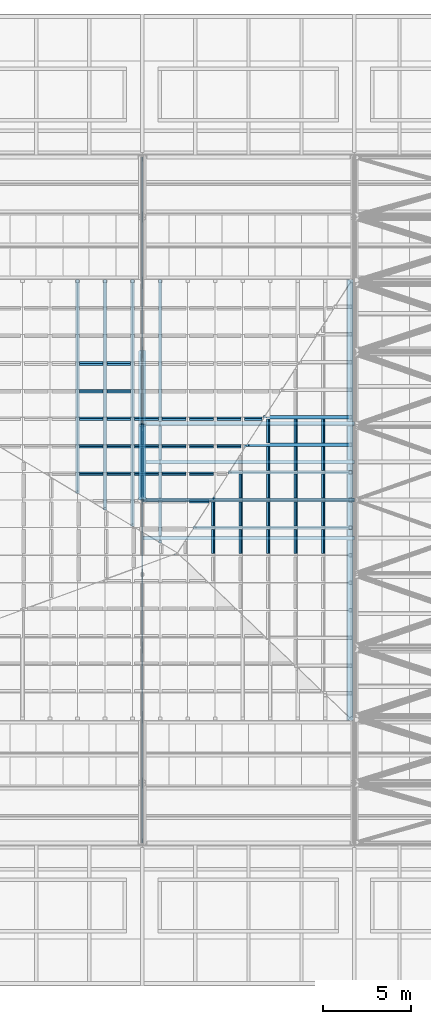
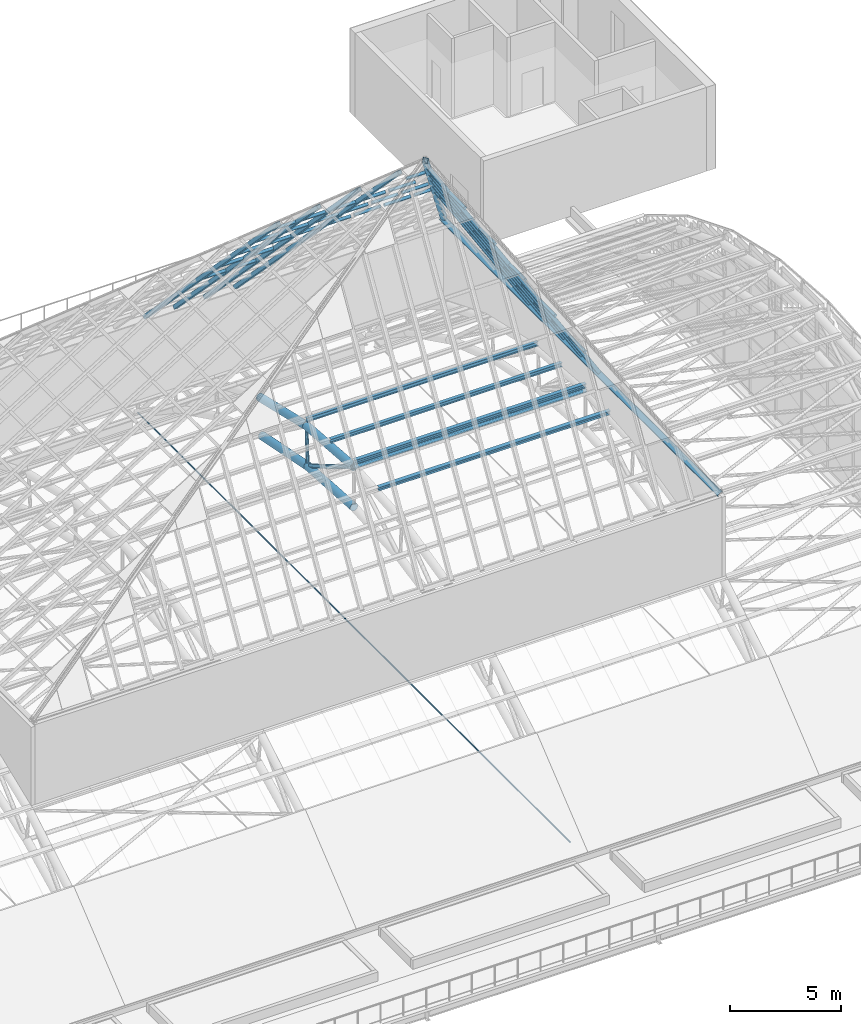
# One storey, part 33 of 110: 65 members, 1 beam.
"""IFC4 building model written with IfcOpenShell, lengths in metres."""

from ifc_helpers import new_model, si_unit, direction, frame, origin, origin_2d, place, context, subcontext, project, spatial, hollow_rectangle, circle, hollow_circle, i_section, extrude, material, material_profile, profile_set, type_object, element, save


model = new_model("IFC4")

# Units and contexts
model_context = context("Model", 3, precision=1e-05, world=origin(), true_north=direction((0.0, 1.0)))
body_context = subcontext(model_context, "Body", "Model", "MODEL_VIEW")
ifc_project = project(units=[si_unit("LENGTHUNIT", "METRE"), si_unit("AREAUNIT", "SQUARE_METRE"), si_unit("VOLUMEUNIT", "CUBIC_METRE"), si_unit("PLANEANGLEUNIT", "RADIAN"), si_unit("MASSUNIT", "GRAM", prefix="KILO")], contexts=[model_context])

# Site, building, storey
site_placement = place(None, origin())
site = spatial("IfcSite", under=ifc_project, at=site_placement, CompositionType="ELEMENT")
building_placement = place(site_placement, origin())
building = spatial("IfcBuilding", under=site, at=building_placement, Name="Windward Yard Aquatics Centre", CompositionType="ELEMENT")
storey_placement = place(building_placement, frame((0.0, 0.0, 22.60009765625)))
storey = spatial("IfcBuildingStorey", under=building, at=storey_placement, Name="L05", CompositionType="ELEMENT", Elevation=22.60009765625)

# Members
ifc_material_1 = material(Name="Steel ASTM A500 Gr C", Category="steel")
ifc_material_profile_1 = material_profile(ifc_material_1, hollow_circle(Radius=0.084228515625, WallThickness=0.010986328125, at=origin_2d()), Name="HSS168.3X11")
ifc_profile_set_1 = profile_set([ifc_material_profile_1], Name="Steel ASTM A500 Gr C")
member_type_1 = type_object("IfcMemberType", Name="H arch post HSS168.3X11", PredefinedType="POST", material=ifc_profile_set_1)
member_1_placement = place(storey_placement, frame((120.0, 65.16064453125, 6.323486328125), z_axis=(0.0, 0.050215263417, 0.998738417865), x_axis=(-1.0, 0.0, 0.0)))
element("IfcMember", 1, at=member_1_placement, inside=storey, type_object=member_type_1, Name="H.AT.6.WP07", PredefinedType="POST", context=body_context, shape_type="SweptSolid", body=[
    extrude(hollow_circle(Radius=0.084228515625, WallThickness=0.010986328125, at=origin_2d()), origin(), (0.0, 0.0, 1.0), 2.14892578125),
])
ifc_material_profile_2 = material_profile(ifc_material_1, hollow_circle(Radius=0.203125, WallThickness=0.015869140625, at=origin_2d()), Name="HSS406.4X15.9")
ifc_profile_set_2 = profile_set([ifc_material_profile_2], Name="Steel ASTM A500 Gr C")
member_type_2 = type_object("IfcMemberType", Name="H arch top chord HSS406.4X15.9", PredefinedType="CHORD", material=ifc_profile_set_2)
member_2_placement = place(storey_placement, frame((120.0, 61.0, 8.796630859375), z_axis=(0.0, 0.997080259355, -0.076360699341), x_axis=(-1.0, 0.0, 0.0)))
element("IfcMember", 2, at=member_2_placement, inside=storey, type_object=member_type_2, Name="H.AT.6.TC06", PredefinedType="CHORD", context=body_context, shape_type="SweptSolid", body=[
    extrude(hollow_circle(Radius=0.203125, WallThickness=0.015869140625, at=origin_2d()), origin(), (0.0, 0.0, 1.0), 4.281005859375),
])
member_3_placement = place(storey_placement, frame((120.0, 61.0, 6.5966796875), z_axis=(0.0, 0.997851241995, -0.065520217098), x_axis=(-1.0, 0.0, 0.0)))
element("IfcMember", 3, at=member_3_placement, inside=storey, type_object=member_type_2, Name="H.AT.6.BC06", PredefinedType="CHORD", context=body_context, shape_type="SweptSolid", body=[
    extrude(hollow_circle(Radius=0.203125, WallThickness=0.015869140625, at=origin_2d()), origin(), (0.0, 0.0, 1.0), 4.169677734375),
])
member_4_placement = place(storey_placement, frame((120.0, 65.2685546875, 8.4697265625), z_axis=(0.0, 0.973833637334, -0.227262066337), x_axis=(-1.0, 0.0, 0.0)))
element("IfcMember", 4, at=member_4_placement, inside=storey, type_object=member_type_2, Name="H.AT.6.TC07", PredefinedType="CHORD", context=body_context, shape_type="SweptSolid", body=[
    extrude(hollow_circle(Radius=0.203125, WallThickness=0.015869140625, at=origin_2d()), origin(), (0.0, 0.0, 1.0), 4.281005859375),
])
member_5_placement = place(storey_placement, frame((120.0, 65.16064453125, 6.323486328125), z_axis=(0.0, 0.980724544319, -0.195395414914), x_axis=(-1.0, 0.0, 0.0)))
element("IfcMember", 5, at=member_5_placement, inside=storey, type_object=member_type_2, Name="H.AT.6.BC07", PredefinedType="CHORD", context=body_context, shape_type="SweptSolid", body=[
    extrude(hollow_circle(Radius=0.203125, WallThickness=0.015869140625, at=origin_2d()), origin(), (0.0, 0.0, 1.0), 4.16943359375),
])
ifc_material_profile_3 = material_profile(ifc_material_1, hollow_circle(Radius=0.109619140625, WallThickness=0.00830078125, at=origin_2d()), Name="HSS219.1X8.2")
ifc_profile_set_3 = profile_set([ifc_material_profile_3], Name="Steel ASTM A500 Gr C")
member_type_3 = type_object("IfcMemberType", Name="H arch web diagonal HSS219.1X8.2", PredefinedType="BRACE", material=ifc_profile_set_3)
member_6_placement = place(storey_placement, frame((120.0, 61.0, 8.796630859375), z_axis=(0.0, 0.859604150376, -0.51096057055), x_axis=(-1.0, 0.0, 0.0)))
element("IfcMember", 6, at=member_6_placement, inside=storey, type_object=member_type_3, Name="H.AT.6.WD06", PredefinedType="BRACE", context=body_context, shape_type="SweptSolid", body=[
    extrude(hollow_circle(Radius=0.109619140625, WallThickness=0.00830078125, at=origin_2d()), origin(), (0.0, 0.0, 1.0), 4.840087890625),
])

# Beam
ifc_material_2 = material(Name="Steel ASTM A992 Gr 50", Category="steel")
ifc_material_profile_4 = material_profile(ifc_material_2, i_section(OverallWidth=0.202880859375, OverallDepth=0.302001953125, WebThickness=0.007568359375, FlangeThickness=0.01318359375, at=origin_2d()), Name="W310X60")
ifc_profile_set_4 = profile_set([ifc_material_profile_4], Name="Steel ASTM A992 Gr 50")
beam_type = type_object("IfcBeamType", Name="H lantern eave beam W310X60", PredefinedType="BEAM", material=ifc_profile_set_4)
beam_placement = place(storey_placement, frame((131.740966796875, 48.510498046875, 10.7958984375), z_axis=(0.0, 1.0, 0.0), x_axis=(-0.526172366974, 0.0, 0.850377939644)))
element("IfcBeam", 7, at=beam_placement, inside=storey, type_object=beam_type, Name="H.LN.E.02", PredefinedType="BEAM", context=body_context, shape_type="SweptSolid", body=[
    extrude(i_section(OverallWidth=0.202880859375, OverallDepth=0.302001953125, WebThickness=0.007568359375, FlangeThickness=0.01318359375, at=origin_2d()), origin(), (0.0, 0.0, 1.0), 24.97900390625),
])

# Members
ifc_material_profile_5 = material_profile(ifc_material_1, hollow_rectangle(XDim=0.25390625, YDim=0.25390625, WallThickness=0.015869140625, InnerFilletRadius=0.008056640625, OuterFilletRadius=0.02392578125, at=origin_2d()), Name="HSS254X254X15.9")
ifc_profile_set_5 = profile_set([ifc_material_profile_5], Name="Steel ASTM A500 Gr C")
member_type_4 = type_object("IfcMemberType", Name="H lantern hip HSS254X254X15.9", PredefinedType="BRACE", material=ifc_profile_set_5)
member_7_placement = place(storey_placement, frame((131.8193359375, 73.42138671875, 10.7783203125), z_axis=(-0.406220913634, -0.635577949828, 0.656525124438), x_axis=(0.755174577895, -0.638033141403, -0.150416313518)))
element("IfcMember", 8, at=member_7_placement, inside=storey, type_object=member_type_4, Name="H.LN.H.03", PredefinedType="BRACE", context=body_context, shape_type="SweptSolid", body=[
    extrude(hollow_rectangle(XDim=0.25390625, YDim=0.25390625, WallThickness=0.015869140625, InnerFilletRadius=0.008056640625, OuterFilletRadius=0.02392578125, at=origin_2d()), origin(), (0.0, 0.0, 1.0), 24.370849609375),
])
ifc_material_profile_6 = material_profile(ifc_material_1, hollow_rectangle(XDim=0.15234375, YDim=0.15234375, WallThickness=0.009521484375, InnerFilletRadius=0.004638671875, OuterFilletRadius=0.01416015625, at=origin_2d()), Name="HSS152X152X9.5")
ifc_profile_set_6 = profile_set([ifc_material_profile_6], Name="Steel ASTM A500 Gr C")
member_type_5 = type_object("IfcMemberType", Name="H lantern purlin HSS152X152X9.5", PredefinedType="PURLIN", material=ifc_profile_set_6)
member_8_placement = place(storey_placement, frame((130.248046875, 65.581787109375, 13.350830078125), z_axis=(0.0, -1.0, 0.0), x_axis=(0.526172366974, 0.0, -0.850377939644)))
element("IfcMember", 9, at=member_8_placement, inside=storey, type_object=member_type_5, Name="H.LN.U.02.01.05", PredefinedType="PURLIN", context=body_context, shape_type="SweptSolid", body=[
    extrude(hollow_rectangle(XDim=0.15234375, YDim=0.15234375, WallThickness=0.009521484375, InnerFilletRadius=0.004638671875, OuterFilletRadius=0.01416015625, at=origin_2d()), origin(), (0.0, 0.0, 1.0), 1.357666015625),
])
member_9_placement = place(storey_placement, frame((130.248046875, 64.020751953125, 13.350830078125), z_axis=(0.0, -1.0, 0.0), x_axis=(0.526172366974, 0.0, -0.850377939644)))
element("IfcMember", 10, at=member_9_placement, inside=storey, type_object=member_type_5, Name="H.LN.U.02.01.06", PredefinedType="PURLIN", context=body_context, shape_type="SweptSolid", body=[
    extrude(hollow_rectangle(XDim=0.15234375, YDim=0.15234375, WallThickness=0.009521484375, InnerFilletRadius=0.004638671875, OuterFilletRadius=0.01416015625, at=origin_2d()), origin(), (0.0, 0.0, 1.0), 1.35791015625),
])
for number, where, z_axis, x_axis, name in (
    (11, (130.248046875, 62.459716796875, 13.350830078125), (0.0, -1.0, 0.0), (0.526172366974, 0.0, -0.850377939644), "H.LN.U.02.01.07"),
    (12, (130.248046875, 60.8984375, 13.350830078125), (0.0, -1.0, 0.0), (0.526172366974, 0.0, -0.850377939644), "H.LN.U.02.01.08"),
):
    element("IfcMember", number, at=place(storey_placement, frame(where, z_axis=z_axis, x_axis=x_axis)), inside=storey, type_object=member_type_5, Name=name, PredefinedType="PURLIN", context=body_context, shape_type="SweptSolid", body=[
        extrude(hollow_rectangle(XDim=0.15234375, YDim=0.15234375, WallThickness=0.009521484375, InnerFilletRadius=0.004638671875, OuterFilletRadius=0.01416015625, at=origin_2d()), origin(), (0.0, 0.0, 1.0), 1.358154296875),
    ])
member_10_placement = place(storey_placement, frame((130.248046875, 59.337158203125, 13.350830078125), z_axis=(0.0, -1.0, 0.0), x_axis=(0.526172366974, 0.0, -0.850377939644)))
element("IfcMember", 13, at=member_10_placement, inside=storey, type_object=member_type_5, Name="H.LN.U.02.01.09", PredefinedType="PURLIN", context=body_context, shape_type="SweptSolid", body=[
    extrude(hollow_rectangle(XDim=0.15234375, YDim=0.15234375, WallThickness=0.009521484375, InnerFilletRadius=0.004638671875, OuterFilletRadius=0.01416015625, at=origin_2d()), origin(), (0.0, 0.0, 1.0), 1.35791015625),
])
member_11_placement = place(storey_placement, frame((128.69140625, 65.581787109375, 15.866455078125), z_axis=(0.0, -1.0, 0.0), x_axis=(0.526172366974, 0.0, -0.850377939644)))
element("IfcMember", 14, at=member_11_placement, inside=storey, type_object=member_type_5, Name="H.LN.U.02.02.03", PredefinedType="PURLIN", context=body_context, shape_type="SweptSolid", body=[
    extrude(hollow_rectangle(XDim=0.15234375, YDim=0.15234375, WallThickness=0.009521484375, InnerFilletRadius=0.004638671875, OuterFilletRadius=0.01416015625, at=origin_2d()), origin(), (0.0, 0.0, 1.0), 1.357666015625),
])
member_12_placement = place(storey_placement, frame((128.69140625, 64.020751953125, 15.866455078125), z_axis=(0.0, -1.0, 0.0), x_axis=(0.526172366974, 0.0, -0.850377939644)))
element("IfcMember", 15, at=member_12_placement, inside=storey, type_object=member_type_5, Name="H.LN.U.02.02.04", PredefinedType="PURLIN", context=body_context, shape_type="SweptSolid", body=[
    extrude(hollow_rectangle(XDim=0.15234375, YDim=0.15234375, WallThickness=0.009521484375, InnerFilletRadius=0.004638671875, OuterFilletRadius=0.01416015625, at=origin_2d()), origin(), (0.0, 0.0, 1.0), 1.35791015625),
])
for number, where, z_axis, x_axis, name in (
    (16, (128.69140625, 62.459716796875, 15.866455078125), (0.0, -1.0, 0.0), (0.526172366974, 0.0, -0.850377939644), "H.LN.U.02.02.05"),
    (17, (128.69140625, 60.8984375, 15.866455078125), (0.0, -1.0, 0.0), (0.526172366974, 0.0, -0.850377939644), "H.LN.U.02.02.06"),
):
    element("IfcMember", number, at=place(storey_placement, frame(where, z_axis=z_axis, x_axis=x_axis)), inside=storey, type_object=member_type_5, Name=name, PredefinedType="PURLIN", context=body_context, shape_type="SweptSolid", body=[
        extrude(hollow_rectangle(XDim=0.15234375, YDim=0.15234375, WallThickness=0.009521484375, InnerFilletRadius=0.004638671875, OuterFilletRadius=0.01416015625, at=origin_2d()), origin(), (0.0, 0.0, 1.0), 1.358154296875),
    ])
member_13_placement = place(storey_placement, frame((128.69140625, 59.337158203125, 15.866455078125), z_axis=(0.0, -1.0, 0.0), x_axis=(0.526172366974, 0.0, -0.850377939644)))
element("IfcMember", 18, at=member_13_placement, inside=storey, type_object=member_type_5, Name="H.LN.U.02.02.07", PredefinedType="PURLIN", context=body_context, shape_type="SweptSolid", body=[
    extrude(hollow_rectangle(XDim=0.15234375, YDim=0.15234375, WallThickness=0.009521484375, InnerFilletRadius=0.004638671875, OuterFilletRadius=0.01416015625, at=origin_2d()), origin(), (0.0, 0.0, 1.0), 1.35791015625),
])
member_14_placement = place(storey_placement, frame((127.135009765625, 65.581787109375, 18.382080078125), z_axis=(0.0, -1.0, 0.0), x_axis=(0.526172366974, 0.0, -0.850377939644)))
element("IfcMember", 19, at=member_14_placement, inside=storey, type_object=member_type_5, Name="H.LN.U.02.03.02", PredefinedType="PURLIN", context=body_context, shape_type="SweptSolid", body=[
    extrude(hollow_rectangle(XDim=0.15234375, YDim=0.15234375, WallThickness=0.009521484375, InnerFilletRadius=0.004638671875, OuterFilletRadius=0.01416015625, at=origin_2d()), origin(), (0.0, 0.0, 1.0), 1.357666015625),
])
member_15_placement = place(storey_placement, frame((127.135009765625, 64.020751953125, 18.382080078125), z_axis=(0.0, -1.0, 0.0), x_axis=(0.526172366974, 0.0, -0.850377939644)))
element("IfcMember", 20, at=member_15_placement, inside=storey, type_object=member_type_5, Name="H.LN.U.02.03.03", PredefinedType="PURLIN", context=body_context, shape_type="SweptSolid", body=[
    extrude(hollow_rectangle(XDim=0.15234375, YDim=0.15234375, WallThickness=0.009521484375, InnerFilletRadius=0.004638671875, OuterFilletRadius=0.01416015625, at=origin_2d()), origin(), (0.0, 0.0, 1.0), 1.35791015625),
])
for number, where, z_axis, x_axis, name in (
    (21, (127.135009765625, 62.459716796875, 18.382080078125), (0.0, -1.0, 0.0), (0.526172366974, 0.0, -0.850377939644), "H.LN.U.02.03.04"),
    (22, (127.135009765625, 60.8984375, 18.382080078125), (0.0, -1.0, 0.0), (0.526172366974, 0.0, -0.850377939644), "H.LN.U.02.03.05"),
):
    element("IfcMember", number, at=place(storey_placement, frame(where, z_axis=z_axis, x_axis=x_axis)), inside=storey, type_object=member_type_5, Name=name, PredefinedType="PURLIN", context=body_context, shape_type="SweptSolid", body=[
        extrude(hollow_rectangle(XDim=0.15234375, YDim=0.15234375, WallThickness=0.009521484375, InnerFilletRadius=0.004638671875, OuterFilletRadius=0.01416015625, at=origin_2d()), origin(), (0.0, 0.0, 1.0), 1.358154296875),
    ])
member_16_placement = place(storey_placement, frame((127.135009765625, 59.337158203125, 18.382080078125), z_axis=(0.0, -1.0, 0.0), x_axis=(0.526172366974, 0.0, -0.850377939644)))
element("IfcMember", 23, at=member_16_placement, inside=storey, type_object=member_type_5, Name="H.LN.U.02.03.06", PredefinedType="PURLIN", context=body_context, shape_type="SweptSolid", body=[
    extrude(hollow_rectangle(XDim=0.15234375, YDim=0.15234375, WallThickness=0.009521484375, InnerFilletRadius=0.004638671875, OuterFilletRadius=0.01416015625, at=origin_2d()), origin(), (0.0, 0.0, 1.0), 1.35791015625),
])
for number, where, z_axis, x_axis, name in (
    (24, (125.57861328125, 62.459716796875, 20.897705078125), (0.0, -1.0, 0.0), (0.526172366974, 0.0, -0.850377939644), "H.LN.U.02.04.02"),
    (25, (125.57861328125, 60.8984375, 20.897705078125), (0.0, -1.0, 0.0), (0.526172366974, 0.0, -0.850377939644), "H.LN.U.02.04.03"),
):
    element("IfcMember", number, at=place(storey_placement, frame(where, z_axis=z_axis, x_axis=x_axis)), inside=storey, type_object=member_type_5, Name=name, PredefinedType="PURLIN", context=body_context, shape_type="SweptSolid", body=[
        extrude(hollow_rectangle(XDim=0.15234375, YDim=0.15234375, WallThickness=0.009521484375, InnerFilletRadius=0.004638671875, OuterFilletRadius=0.01416015625, at=origin_2d()), origin(), (0.0, 0.0, 1.0), 1.358154296875),
    ])
member_17_placement = place(storey_placement, frame((125.57861328125, 59.337158203125, 20.897705078125), z_axis=(0.0, -1.0, 0.0), x_axis=(0.526172366974, 0.0, -0.850377939644)))
element("IfcMember", 26, at=member_17_placement, inside=storey, type_object=member_type_5, Name="H.LN.U.02.04.04", PredefinedType="PURLIN", context=body_context, shape_type="SweptSolid", body=[
    extrude(hollow_rectangle(XDim=0.15234375, YDim=0.15234375, WallThickness=0.009521484375, InnerFilletRadius=0.004638671875, OuterFilletRadius=0.01416015625, at=origin_2d()), origin(), (0.0, 0.0, 1.0), 1.35791015625),
])
member_18_placement = place(storey_placement, frame((124.02197265625, 60.8984375, 23.4130859375), z_axis=(0.0, -1.0, 0.0), x_axis=(0.526172366974, 0.0, -0.850377939644)))
element("IfcMember", 27, at=member_18_placement, inside=storey, type_object=member_type_5, Name="H.LN.U.02.05.02", PredefinedType="PURLIN", context=body_context, shape_type="SweptSolid", body=[
    extrude(hollow_rectangle(XDim=0.15234375, YDim=0.15234375, WallThickness=0.009521484375, InnerFilletRadius=0.004638671875, OuterFilletRadius=0.01416015625, at=origin_2d()), origin(), (0.0, 0.0, 1.0), 1.358154296875),
])
member_19_placement = place(storey_placement, frame((124.02197265625, 59.337158203125, 23.4130859375), z_axis=(0.0, -1.0, 0.0), x_axis=(0.526172366974, 0.0, -0.850377939644)))
element("IfcMember", 28, at=member_19_placement, inside=storey, type_object=member_type_5, Name="H.LN.U.02.05.03", PredefinedType="PURLIN", context=body_context, shape_type="SweptSolid", body=[
    extrude(hollow_rectangle(XDim=0.15234375, YDim=0.15234375, WallThickness=0.009521484375, InnerFilletRadius=0.004638671875, OuterFilletRadius=0.01416015625, at=origin_2d()), origin(), (0.0, 0.0, 1.0), 1.35791015625),
])
member_20_placement = place(storey_placement, frame((116.436279296875, 68.725341796875, 15.654052734375), z_axis=(1.0, 0.0, 0.0), x_axis=(0.0, 0.695550485066, -0.718477224917)))
element("IfcMember", 29, at=member_20_placement, inside=storey, type_object=member_type_5, Name="H.LN.U.03.03.09", PredefinedType="PURLIN", context=body_context, shape_type="SweptSolid", body=[
    extrude(hollow_rectangle(XDim=0.15234375, YDim=0.15234375, WallThickness=0.009521484375, InnerFilletRadius=0.004638671875, OuterFilletRadius=0.01416015625, at=origin_2d()), origin(), (0.0, 0.0, 1.0), 1.353515625),
])
member_21_placement = place(storey_placement, frame((117.992919921875, 68.725341796875, 15.654052734375), z_axis=(1.0, 0.0, 0.0), x_axis=(0.0, 0.695550485066, -0.718477224917)))
element("IfcMember", 30, at=member_21_placement, inside=storey, type_object=member_type_5, Name="H.LN.U.03.03.10", PredefinedType="PURLIN", context=body_context, shape_type="SweptSolid", body=[
    extrude(hollow_rectangle(XDim=0.15234375, YDim=0.15234375, WallThickness=0.009521484375, InnerFilletRadius=0.004638671875, OuterFilletRadius=0.01416015625, at=origin_2d()), origin(), (0.0, 0.0, 1.0), 1.353271484375),
])
member_22_placement = place(storey_placement, frame((116.436279296875, 67.1640625, 17.266845703125), z_axis=(1.0, 0.0, 0.0), x_axis=(0.0, 0.695550485066, -0.718477224917)))
element("IfcMember", 31, at=member_22_placement, inside=storey, type_object=member_type_5, Name="H.LN.U.03.04.08", PredefinedType="PURLIN", context=body_context, shape_type="SweptSolid", body=[
    extrude(hollow_rectangle(XDim=0.15234375, YDim=0.15234375, WallThickness=0.009521484375, InnerFilletRadius=0.004638671875, OuterFilletRadius=0.01416015625, at=origin_2d()), origin(), (0.0, 0.0, 1.0), 1.353515625),
])
member_23_placement = place(storey_placement, frame((117.992919921875, 67.1640625, 17.266845703125), z_axis=(1.0, 0.0, 0.0), x_axis=(0.0, 0.695550485066, -0.718477224917)))
element("IfcMember", 32, at=member_23_placement, inside=storey, type_object=member_type_5, Name="H.LN.U.03.04.09", PredefinedType="PURLIN", context=body_context, shape_type="SweptSolid", body=[
    extrude(hollow_rectangle(XDim=0.15234375, YDim=0.15234375, WallThickness=0.009521484375, InnerFilletRadius=0.004638671875, OuterFilletRadius=0.01416015625, at=origin_2d()), origin(), (0.0, 0.0, 1.0), 1.353271484375),
])
member_24_placement = place(storey_placement, frame((116.436279296875, 65.602783203125, 18.87939453125), z_axis=(1.0, 0.0, 0.0), x_axis=(0.0, 0.695550485066, -0.718477224917)))
element("IfcMember", 33, at=member_24_placement, inside=storey, type_object=member_type_5, Name="H.LN.U.03.05.06", PredefinedType="PURLIN", context=body_context, shape_type="SweptSolid", body=[
    extrude(hollow_rectangle(XDim=0.15234375, YDim=0.15234375, WallThickness=0.009521484375, InnerFilletRadius=0.004638671875, OuterFilletRadius=0.01416015625, at=origin_2d()), origin(), (0.0, 0.0, 1.0), 1.353515625),
])
for number, where, z_axis, x_axis, name in (
    (34, (117.992919921875, 65.602783203125, 18.87939453125), (1.0, 0.0, 0.0), (0.0, 0.695550485066, -0.718477224917), "H.LN.U.03.05.07"),
    (35, (119.54931640625, 65.602783203125, 18.87939453125), (1.0, 0.0, 0.0), (0.0, 0.695550485066, -0.718477224917), "H.LN.U.03.05.08"),
    (36, (121.10595703125, 65.602783203125, 18.87939453125), (1.0, 0.0, 0.0), (0.0, 0.695550485066, -0.718477224917), "H.LN.U.03.05.09"),
    (37, (122.66259765625, 65.602783203125, 18.87939453125), (1.0, 0.0, 0.0), (0.0, 0.695550485066, -0.718477224917), "H.LN.U.03.05.10"),
    (38, (124.218994140625, 65.602783203125, 18.87939453125), (1.0, 0.0, 0.0), (0.0, 0.695550485066, -0.718477224917), "H.LN.U.03.05.11"),
):
    element("IfcMember", number, at=place(storey_placement, frame(where, z_axis=z_axis, x_axis=x_axis)), inside=storey, type_object=member_type_5, Name=name, PredefinedType="PURLIN", context=body_context, shape_type="SweptSolid", body=[
        extrude(hollow_rectangle(XDim=0.15234375, YDim=0.15234375, WallThickness=0.009521484375, InnerFilletRadius=0.004638671875, OuterFilletRadius=0.01416015625, at=origin_2d()), origin(), (0.0, 0.0, 1.0), 1.353271484375),
    ])
member_25_placement = place(storey_placement, frame((125.775390625, 65.602783203125, 18.87939453125), z_axis=(1.0, 0.0, 0.0), x_axis=(0.0, 0.695550485066, -0.718477224917)))
element("IfcMember", 39, at=member_25_placement, inside=storey, type_object=member_type_5, Name="H.LN.U.03.05.12", PredefinedType="PURLIN", context=body_context, shape_type="SweptSolid", body=[
    extrude(hollow_rectangle(XDim=0.15234375, YDim=0.15234375, WallThickness=0.009521484375, InnerFilletRadius=0.004638671875, OuterFilletRadius=0.01416015625, at=origin_2d()), origin(), (0.0, 0.0, 1.0), 0.9912109375),
])
member_26_placement = place(storey_placement, frame((116.436279296875, 64.041748046875, 20.491943359375), z_axis=(1.0, 0.0, 0.0), x_axis=(0.0, 0.695550485066, -0.718477224917)))
element("IfcMember", 40, at=member_26_placement, inside=storey, type_object=member_type_5, Name="H.LN.U.03.06.04", PredefinedType="PURLIN", context=body_context, shape_type="SweptSolid", body=[
    extrude(hollow_rectangle(XDim=0.15234375, YDim=0.15234375, WallThickness=0.009521484375, InnerFilletRadius=0.004638671875, OuterFilletRadius=0.01416015625, at=origin_2d()), origin(), (0.0, 0.0, 1.0), 1.353515625),
])
for number, where, z_axis, x_axis, name in (
    (41, (117.992919921875, 64.041748046875, 20.491943359375), (1.0, 0.0, 0.0), (0.0, 0.695550485066, -0.718477224917), "H.LN.U.03.06.05"),
    (42, (119.54931640625, 64.041748046875, 20.491943359375), (1.0, 0.0, 0.0), (0.0, 0.695550485066, -0.718477224917), "H.LN.U.03.06.06"),
    (43, (121.10595703125, 64.041748046875, 20.491943359375), (1.0, 0.0, 0.0), (0.0, 0.695550485066, -0.718477224917), "H.LN.U.03.06.07"),
    (44, (122.66259765625, 64.041748046875, 20.491943359375), (1.0, 0.0, 0.0), (0.0, 0.695550485066, -0.718477224917), "H.LN.U.03.06.08"),
    (45, (124.218994140625, 64.041748046875, 20.491943359375), (1.0, 0.0, 0.0), (0.0, 0.695550485066, -0.718477224917), "H.LN.U.03.06.09"),
):
    element("IfcMember", number, at=place(storey_placement, frame(where, z_axis=z_axis, x_axis=x_axis)), inside=storey, type_object=member_type_5, Name=name, PredefinedType="PURLIN", context=body_context, shape_type="SweptSolid", body=[
        extrude(hollow_rectangle(XDim=0.15234375, YDim=0.15234375, WallThickness=0.009521484375, InnerFilletRadius=0.004638671875, OuterFilletRadius=0.01416015625, at=origin_2d()), origin(), (0.0, 0.0, 1.0), 1.353271484375),
    ])
member_27_placement = place(storey_placement, frame((116.436279296875, 62.480712890625, 22.104736328125), z_axis=(1.0, 0.0, 0.0), x_axis=(0.0, 0.695550485066, -0.718477224917)))
element("IfcMember", 46, at=member_27_placement, inside=storey, type_object=member_type_5, Name="H.LN.U.03.07.03", PredefinedType="PURLIN", context=body_context, shape_type="SweptSolid", body=[
    extrude(hollow_rectangle(XDim=0.15234375, YDim=0.15234375, WallThickness=0.009521484375, InnerFilletRadius=0.004638671875, OuterFilletRadius=0.01416015625, at=origin_2d()), origin(), (0.0, 0.0, 1.0), 1.353515625),
])
for number, where, z_axis, x_axis, name in (
    (47, (117.992919921875, 62.480712890625, 22.104736328125), (1.0, 0.0, 0.0), (0.0, 0.695550485066, -0.718477224917), "H.LN.U.03.07.04"),
    (48, (119.54931640625, 62.480712890625, 22.104736328125), (1.0, 0.0, 0.0), (0.0, 0.695550485066, -0.718477224917), "H.LN.U.03.07.05"),
    (49, (121.10595703125, 62.480712890625, 22.104736328125), (1.0, 0.0, 0.0), (0.0, 0.695550485066, -0.718477224917), "H.LN.U.03.07.06"),
    (50, (122.66259765625, 62.480712890625, 22.104736328125), (1.0, 0.0, 0.0), (0.0, 0.695550485066, -0.718477224917), "H.LN.U.03.07.07"),
):
    element("IfcMember", number, at=place(storey_placement, frame(where, z_axis=z_axis, x_axis=x_axis)), inside=storey, type_object=member_type_5, Name=name, PredefinedType="PURLIN", context=body_context, shape_type="SweptSolid", body=[
        extrude(hollow_rectangle(XDim=0.15234375, YDim=0.15234375, WallThickness=0.009521484375, InnerFilletRadius=0.004638671875, OuterFilletRadius=0.01416015625, at=origin_2d()), origin(), (0.0, 0.0, 1.0), 1.353271484375),
    ])
member_28_placement = place(storey_placement, frame((122.66259765625, 60.91943359375, 23.71728515625), z_axis=(1.0, 0.0, 0.0), x_axis=(0.0, 0.695550485066, -0.718477224917)))
element("IfcMember", 51, at=member_28_placement, inside=storey, type_object=member_type_5, Name="H.LN.U.03.08.05", PredefinedType="PURLIN", context=body_context, shape_type="SweptSolid", body=[
    extrude(hollow_rectangle(XDim=0.15234375, YDim=0.15234375, WallThickness=0.009521484375, InnerFilletRadius=0.004638671875, OuterFilletRadius=0.01416015625, at=origin_2d()), origin(), (0.0, 0.0, 1.0), 1.110595703125),
])
ifc_material_profile_7 = material_profile(ifc_material_1, hollow_rectangle(XDim=0.203125, YDim=0.203125, WallThickness=0.009521484375, InnerFilletRadius=0.004638671875, OuterFilletRadius=0.01416015625, at=origin_2d()), Name="HSS203X203X9.5")
ifc_profile_set_7 = profile_set([ifc_material_profile_7], Name="Steel ASTM A500 Gr C")
member_type_6 = type_object("IfcMemberType", Name="H lantern rafter HSS203X203X9.5", PredefinedType="RAFTER", material=ifc_profile_set_7)
member_29_placement = place(storey_placement, frame((131.782958984375, 65.68359375, 10.82177734375), z_axis=(-0.526161085898, 0.0, 0.85038491972), x_axis=(0.0, -1.0, 0.0)))
element("IfcMember", 52, at=member_29_placement, inside=storey, type_object=member_type_6, Name="H.LN.R.02.05", PredefinedType="RAFTER", context=body_context, shape_type="SweptSolid", body=[
    extrude(hollow_rectangle(XDim=0.203125, YDim=0.203125, WallThickness=0.009521484375, InnerFilletRadius=0.004638671875, OuterFilletRadius=0.01416015625, at=origin_2d()), origin(), (0.0, 0.0, 1.0), 9.207763671875),
])
member_30_placement = place(storey_placement, frame((131.782958984375, 64.122314453125, 10.82177734375), z_axis=(-0.526165371191, 0.0, 0.850382268253), x_axis=(0.0, -1.0, 0.0)))
element("IfcMember", 53, at=member_30_placement, inside=storey, type_object=member_type_6, Name="H.LN.R.02.06", PredefinedType="RAFTER", context=body_context, shape_type="SweptSolid", body=[
    extrude(hollow_rectangle(XDim=0.203125, YDim=0.203125, WallThickness=0.009521484375, InnerFilletRadius=0.004638671875, OuterFilletRadius=0.01416015625, at=origin_2d()), origin(), (0.0, 0.0, 1.0), 11.10400390625),
])
member_31_placement = place(storey_placement, frame((131.782958984375, 62.561279296875, 10.82177734375), z_axis=(-0.5261600036, 0.0, 0.850385589372), x_axis=(0.0, -1.0, 0.0)))
element("IfcMember", 54, at=member_31_placement, inside=storey, type_object=member_type_6, Name="H.LN.R.02.07", PredefinedType="RAFTER", context=body_context, shape_type="SweptSolid", body=[
    extrude(hollow_rectangle(XDim=0.203125, YDim=0.203125, WallThickness=0.009521484375, InnerFilletRadius=0.004638671875, OuterFilletRadius=0.01416015625, at=origin_2d()), origin(), (0.0, 0.0, 1.0), 13.00048828125),
])
member_32_placement = place(storey_placement, frame((131.782958984375, 61.0, 10.82177734375), z_axis=(-0.526175187075, 0.0, 0.850376194697), x_axis=(0.0, -1.0, 0.0)))
element("IfcMember", 55, at=member_32_placement, inside=storey, type_object=member_type_6, Name="H.LN.R.02.08", PredefinedType="RAFTER", context=body_context, shape_type="SweptSolid", body=[
    extrude(hollow_rectangle(XDim=0.203125, YDim=0.203125, WallThickness=0.009521484375, InnerFilletRadius=0.004638671875, OuterFilletRadius=0.01416015625, at=origin_2d()), origin(), (0.0, 0.0, 1.0), 14.89697265625),
])
member_33_placement = place(storey_placement, frame((131.782958984375, 59.438720703125, 10.82177734375), z_axis=(-0.526165915108, 0.0, 0.85038193171), x_axis=(0.0, -1.0, 0.0)))
element("IfcMember", 56, at=member_33_placement, inside=storey, type_object=member_type_6, Name="H.LN.R.02.09", PredefinedType="RAFTER", context=body_context, shape_type="SweptSolid", body=[
    extrude(hollow_rectangle(XDim=0.203125, YDim=0.203125, WallThickness=0.009521484375, InnerFilletRadius=0.004638671875, OuterFilletRadius=0.01416015625, at=origin_2d()), origin(), (0.0, 0.0, 1.0), 16.79296875),
])
member_34_placement = place(storey_placement, frame((116.334716796875, 73.390625, 10.798583984375), z_axis=(0.0, -0.695555521755, 0.718472348916), x_axis=(1.0, 0.0, 0.0)))
element("IfcMember", 57, at=member_34_placement, inside=storey, type_object=member_type_6, Name="H.LN.R.03.13", PredefinedType="RAFTER", context=body_context, shape_type="SweptSolid", body=[
    extrude(hollow_rectangle(XDim=0.203125, YDim=0.203125, WallThickness=0.009521484375, InnerFilletRadius=0.004638671875, OuterFilletRadius=0.01416015625, at=origin_2d()), origin(), (0.0, 0.0, 1.0), 17.194580078125),
])
member_35_placement = place(storey_placement, frame((117.891357421875, 73.390625, 10.798583984375), z_axis=(0.0, -0.695553078595, 0.718474714139), x_axis=(1.0, 0.0, 0.0)))
element("IfcMember", 58, at=member_35_placement, inside=storey, type_object=member_type_6, Name="H.LN.R.03.14", PredefinedType="RAFTER", context=body_context, shape_type="SweptSolid", body=[
    extrude(hollow_rectangle(XDim=0.203125, YDim=0.203125, WallThickness=0.009521484375, InnerFilletRadius=0.004638671875, OuterFilletRadius=0.01416015625, at=origin_2d()), origin(), (0.0, 0.0, 1.0), 18.532958984375),
])
member_36_placement = place(storey_placement, frame((119.44775390625, 73.390625, 10.798583984375), z_axis=(0.0, -0.695557104378, 0.71847081677), x_axis=(1.0, 0.0, 0.0)))
element("IfcMember", 59, at=member_36_placement, inside=storey, type_object=member_type_6, Name="H.LN.R.03.15", PredefinedType="RAFTER", context=body_context, shape_type="SweptSolid", body=[
    extrude(hollow_rectangle(XDim=0.203125, YDim=0.203125, WallThickness=0.009521484375, InnerFilletRadius=0.004638671875, OuterFilletRadius=0.01416015625, at=origin_2d()), origin(), (0.0, 0.0, 1.0), 19.87109375),
])
member_37_placement = place(storey_placement, frame((121.00439453125, 73.390625, 10.798583984375), z_axis=(0.0, -0.695554869682, 0.718472980189), x_axis=(1.0, 0.0, 0.0)))
element("IfcMember", 60, at=member_37_placement, inside=storey, type_object=member_type_6, Name="H.LN.R.03.16", PredefinedType="RAFTER", context=body_context, shape_type="SweptSolid", body=[
    extrude(hollow_rectangle(XDim=0.203125, YDim=0.203125, WallThickness=0.009521484375, InnerFilletRadius=0.004638671875, OuterFilletRadius=0.01416015625, at=origin_2d()), origin(), (0.0, 0.0, 1.0), 21.209716796875),
])
ifc_material_profile_8 = material_profile(ifc_material_2, i_section(OverallWidth=0.202880859375, OverallDepth=0.202880859375, WebThickness=0.00732421875, FlangeThickness=0.010986328125, at=origin_2d()), Name="W200X46.1")
ifc_profile_set_8 = profile_set([ifc_material_profile_8], Name="Steel ASTM A992 Gr 50")
member_type_7 = type_object("IfcMemberType", Name="H roof purlin W200X46.1", PredefinedType="PURLIN", material=ifc_profile_set_8)
for number, where, z_axis, x_axis, name in (
    (61, (120.0, 58.842529296875, 8.93701171875), (1.0, 0.0, 0.0), (0.0, 0.997080793073, 0.076353729998), "H.PU.6.10"),
    (62, (120.0, 61.0, 9.101318359375), (1.0, 0.0, 0.0), (0.0, 1.0, 0.0), "H.PU.6.11"),
    (63, (120.0, 63.157470703125, 8.93701171875), (1.0, 0.0, 0.0), (0.0, 0.997080793073, -0.076353729998), "H.PU.6.12"),
    (64, (120.0, 65.31494140625, 8.77099609375), (1.0, 0.0, 0.0), (0.0, 0.988340215831, -0.152261675321), "H.PU.6.13"),
):
    element("IfcMember", number, at=place(storey_placement, frame(where, z_axis=z_axis, x_axis=x_axis)), inside=storey, type_object=member_type_7, Name=name, PredefinedType="PURLIN", context=body_context, shape_type="SweptSolid", body=[
        extrude(i_section(OverallWidth=0.202880859375, OverallDepth=0.202880859375, WebThickness=0.00732421875, FlangeThickness=0.010986328125, at=origin_2d()), origin(), (0.0, 0.0, 1.0), 12.0),
    ])
ifc_material_profile_9 = material_profile(ifc_material_1, hollow_circle(Radius=0.109619140625, WallThickness=0.00830078125, at=origin_2d()), Name="HSS219.1X8.2")
ifc_profile_set_9 = profile_set([ifc_material_profile_9], Name="Steel ASTM A500 Gr C")
member_type_8 = type_object("IfcMemberType", Name="H roof strut HSS219.1X8.2", PredefinedType="STRUT", material=ifc_profile_set_9)
member_38_placement = place(storey_placement, frame((120.0, 61.0, 8.796630859375), z_axis=(1.0, 0.0, 0.0), x_axis=(0.0, 1.0, 0.0)))
element("IfcMember", 65, at=member_38_placement, inside=storey, type_object=member_type_8, Name="H.RS.6.T06", PredefinedType="STRUT", context=body_context, shape_type="SweptSolid", body=[
    extrude(hollow_circle(Radius=0.109619140625, WallThickness=0.00830078125, at=origin_2d()), origin(), (0.0, 0.0, 1.0), 12.0),
])
ifc_material_3 = material(Name="Steel ASTM A36", Category="steel")
ifc_material_profile_10 = material_profile(ifc_material_3, circle(Radius=0.0380859375, at=origin_2d()), Name="ROD76")
ifc_profile_set_10 = profile_set([ifc_material_profile_10], Name="Steel ASTM A36")
member_type_9 = type_object("IfcMemberType", Name="H tie rod ROD76", PredefinedType="STRUT", material=ifc_profile_set_10)
member_39_placement = place(storey_placement, frame((120.0, 41.60009765625, 0.0), z_axis=(0.0, 1.0, 0.0), x_axis=(-1.0, 0.0, 0.0)))
element("IfcMember", 66, at=member_39_placement, inside=storey, type_object=member_type_9, Name="H.AT.6.TR", PredefinedType="STRUT", context=body_context, shape_type="SweptSolid", body=[
    extrude(circle(Radius=0.0380859375, at=origin_2d()), origin(), (0.0, 0.0, 1.0), 38.7998046875),
])

save(model, "model.ifc")
